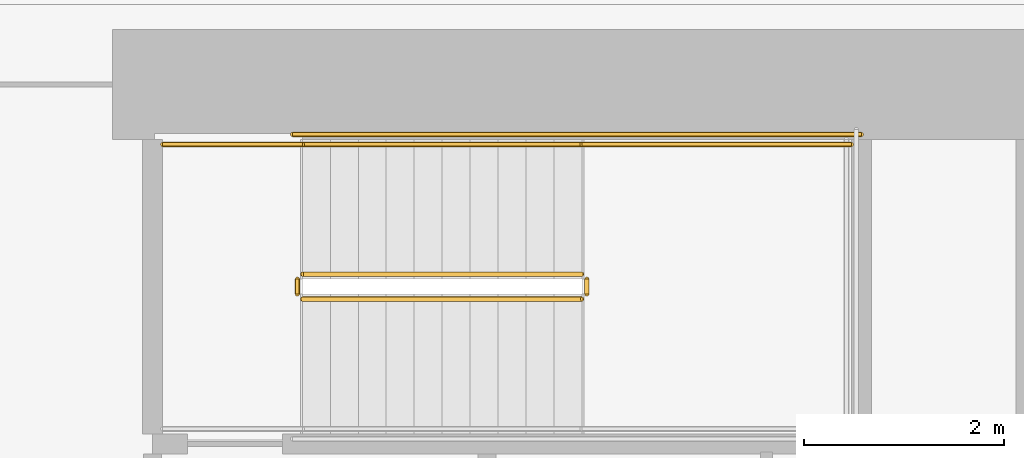
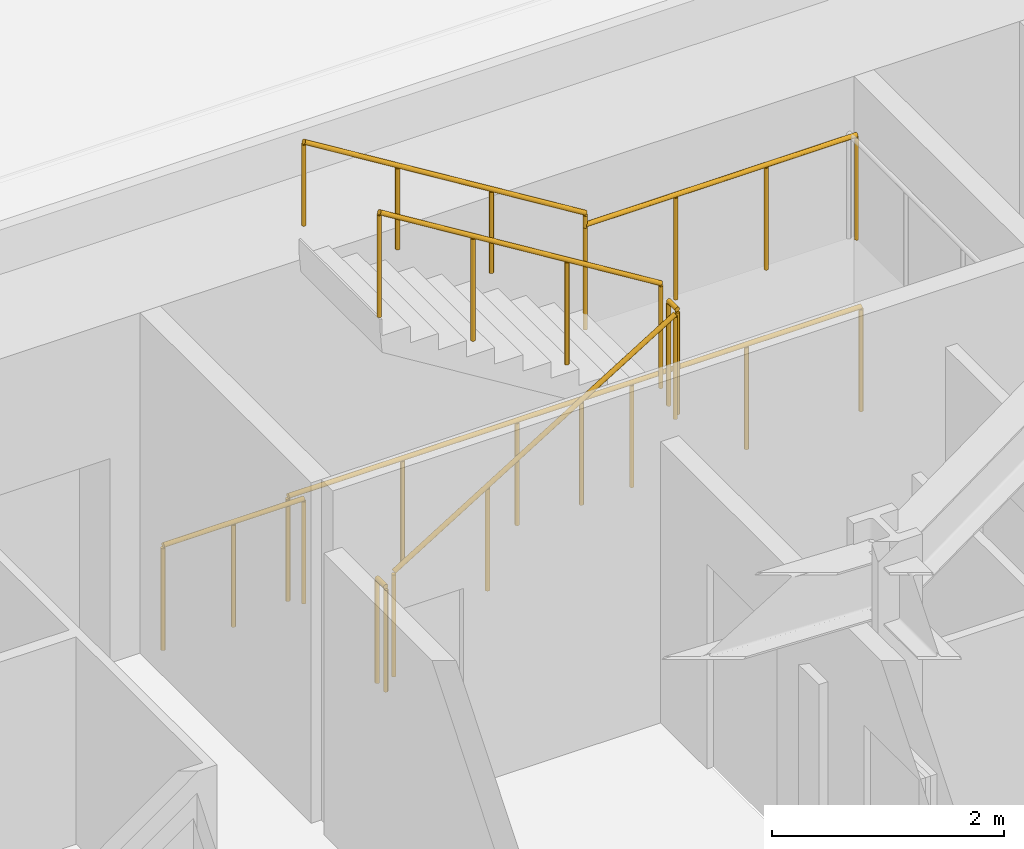
# One storey, part 16 of 18: 8 railings.
"""IFC4 building model written with IfcOpenShell, lengths in metres."""

from ifc_helpers import new_model, si_unit, direction, frame, origin, origin_2d, place, context, subcontext, project, spatial, circle, extrude, material, type_object, element, save


model = new_model("IFC4")

# Units and contexts
model_context = context("Model", 3, precision=1e-05, world=origin(), true_north=direction((0.0, 1.0)))
body_context = subcontext(model_context, "Body", "Model", "MODEL_VIEW")
ifc_project = project(units=[si_unit("LENGTHUNIT", "METRE"), si_unit("AREAUNIT", "SQUARE_METRE"), si_unit("VOLUMEUNIT", "CUBIC_METRE"), si_unit("PLANEANGLEUNIT", "RADIAN"), si_unit("MASSUNIT", "GRAM", prefix="KILO")], contexts=[model_context])

# Site, building, storey
site_placement = place(None, origin())
site = spatial("IfcSite", under=ifc_project, at=site_placement, CompositionType="ELEMENT")
building_placement = place(site_placement, origin())
building = spatial("IfcBuilding", under=site, at=building_placement, Name="Valkerne Bourse Tower", CompositionType="ELEMENT")
storey_placement = place(building_placement, frame((0.0, 0.0, 69.60009765625)))
storey = spatial("IfcBuildingStorey", under=building, at=storey_placement, Name="L17", CompositionType="ELEMENT", Elevation=69.60009765625)

# Railings
ifc_material_1 = material(Name="Galvanised Painted Steel", Category="steel")
railing_type_1 = type_object("IfcRailingType", Name="RLG-ST-GUARD-1120", PredefinedType="GUARDRAIL", material=ifc_material_1)
railing_1_placement = place(storey_placement, frame((48.14990234375, 33.550048828125, 0.172607421875)))
element("IfcRailing", 1, at=railing_1_placement, inside=storey, type_object=railing_type_1, Name="L17 ST-2 stair guard 1", PredefinedType="GUARDRAIL", context=body_context, shape_type="SweptSolid", body=[
    extrude(circle(Radius=0.02392578125, at=origin_2d()), frame((0.0, 0.0, 1.09619140625), z_axis=(0.851089632645, 0.0, 0.525020415988), x_axis=(0.0, 1.0, 0.0)), (0.0, 0.0, 1.0), 3.2900390625),
    extrude(circle(Radius=0.02099609375, at=origin_2d()), origin(), (0.0, 0.0, 1.0), 1.072021484375),
    extrude(circle(Radius=0.02099609375, at=origin_2d()), frame((0.933349609375, 0.0, 0.57568359375)), (0.0, 0.0, 1.0), 1.072021484375),
    extrude(circle(Radius=0.02099609375, at=origin_2d()), frame((1.86669921875, 0.0, 1.151611328125)), (0.0, 0.0, 1.0), 1.072021484375),
    extrude(circle(Radius=0.02099609375, at=origin_2d()), frame((2.800048828125, 0.0, 1.727294921875)), (0.0, 0.0, 1.0), 1.072021484375),
])
railing_2_placement = place(storey_placement, frame((51.0, 33.60009765625, 1.89990234375)))
element("IfcRailing", 2, at=railing_2_placement, inside=storey, type_object=railing_type_1, Name="L17 ST-2 stair guard 2", PredefinedType="GUARDRAIL", context=body_context, shape_type="SweptSolid", body=[
    extrude(circle(Radius=0.02392578125, at=origin_2d()), frame((0.0, 0.0, 1.09619140625), z_axis=(0.0, 1.0, 0.0), x_axis=(-1.0, 0.0, 0.0)), (0.0, 0.0, 1.0), 0.14990234375),
    extrude(circle(Radius=0.02099609375, at=origin_2d()), origin(), (0.0, 0.0, 1.0), 1.072021484375),
    extrude(circle(Radius=0.02099609375, at=origin_2d()), frame((0.0, 0.14990234375, 0.0)), (0.0, 0.0, 1.0), 1.072021484375),
])
railing_3_placement = place(storey_placement, frame((50.949951171875, 35.10009765625, 1.89990234375)))
element("IfcRailing", 3, at=railing_3_placement, inside=storey, type_object=railing_type_1, Name="L17 ST-2 stair guard 4", PredefinedType="GUARDRAIL", context=body_context, shape_type="SweptSolid", body=[
    extrude(circle(Radius=0.02392578125, at=origin_2d()), frame((0.0, 0.0, 1.09619140625), z_axis=(1.0, 0.0, 0.0), x_axis=(0.0, 1.0, 0.0)), (0.0, 0.0, 1.0), 2.699951171875),
    extrude(circle(Radius=0.02099609375, at=origin_2d()), origin(), (0.0, 0.0, 1.0), 1.072021484375),
    extrude(circle(Radius=0.02099609375, at=origin_2d()), frame((0.89990234375, 0.0, 0.0)), (0.0, 0.0, 1.0), 1.072021484375),
    extrude(circle(Radius=0.02099609375, at=origin_2d()), frame((1.800048828125, 0.0, 0.0)), (0.0, 0.0, 1.0), 1.072021484375),
    extrude(circle(Radius=0.02099609375, at=origin_2d()), frame((2.699951171875, 0.0, 0.0)), (0.0, 0.0, 1.0), 1.072021484375),
])
railing_4_placement = place(storey_placement, frame((50.949951171875, 33.800048828125, 2.072509765625)))
element("IfcRailing", 4, at=railing_4_placement, inside=storey, type_object=railing_type_1, Name="L17 ST-2 stair guard 6", PredefinedType="GUARDRAIL", context=body_context, shape_type="SweptSolid", body=[
    extrude(circle(Radius=0.02392578125, at=origin_2d()), frame((0.0, 0.0, 1.09619140625), z_axis=(-0.851089632645, 0.0, 0.525020415988), x_axis=(0.0, -1.0, 0.0)), (0.0, 0.0, 1.0), 3.2900390625),
    extrude(circle(Radius=0.02099609375, at=origin_2d()), origin(), (0.0, 0.0, 1.0), 1.072021484375),
    extrude(circle(Radius=0.02099609375, at=origin_2d()), frame((-0.933349609375, 0.0, 0.57568359375)), (0.0, 0.0, 1.0), 1.072021484375),
    extrude(circle(Radius=0.02099609375, at=origin_2d()), frame((-1.86669921875, 0.0, 1.151611328125)), (0.0, 0.0, 1.0), 1.072021484375),
    extrude(circle(Radius=0.02099609375, at=origin_2d()), frame((-2.800048828125, 0.0, 1.727294921875)), (0.0, 0.0, 1.0), 1.072021484375),
])
railing_5_placement = place(storey_placement, frame((48.10009765625, 33.60009765625, 0.0)))
element("IfcRailing", 5, at=railing_5_placement, inside=storey, type_object=railing_type_1, Name="L17 ST-2 stair guard 7", PredefinedType="GUARDRAIL", context=body_context, shape_type="SweptSolid", body=[
    extrude(circle(Radius=0.02392578125, at=origin_2d()), frame((0.0, 0.0, 1.09619140625), z_axis=(0.0, 1.0, 0.0), x_axis=(-1.0, 0.0, 0.0)), (0.0, 0.0, 1.0), 0.14990234375),
    extrude(circle(Radius=0.02099609375, at=origin_2d()), origin(), (0.0, 0.0, 1.0), 1.072021484375),
    extrude(circle(Radius=0.02099609375, at=origin_2d()), frame((0.0, 0.14990234375, 0.0)), (0.0, 0.0, 1.0), 1.072021484375),
])
railing_6_placement = place(storey_placement, frame((46.75, 35.10009765625, 0.0)))
element("IfcRailing", 6, at=railing_6_placement, inside=storey, type_object=railing_type_1, Name="L17 ST-2 stair guard 9", PredefinedType="GUARDRAIL", context=body_context, shape_type="SweptSolid", body=[
    extrude(circle(Radius=0.02392578125, at=origin_2d()), frame((0.0, 0.0, 1.09619140625), z_axis=(1.0, 0.0, 0.0), x_axis=(0.0, 1.0, 0.0)), (0.0, 0.0, 1.0), 1.39990234375),
    extrude(circle(Radius=0.02099609375, at=origin_2d()), origin(), (0.0, 0.0, 1.0), 1.072021484375),
    extrude(circle(Radius=0.02099609375, at=origin_2d()), frame((0.699951171875, 0.0, 0.0)), (0.0, 0.0, 1.0), 1.072021484375),
    extrude(circle(Radius=0.02099609375, at=origin_2d()), frame((1.39990234375, 0.0, 0.0)), (0.0, 0.0, 1.0), 1.072021484375),
])
railing_7_placement = place(storey_placement, frame((48.050048828125, 35.199951171875, 0.0)))
element("IfcRailing", 7, at=railing_7_placement, inside=storey, type_object=railing_type_1, Name="L17 ST-2 stair guard 11", PredefinedType="GUARDRAIL", context=body_context, shape_type="SweptSolid", body=[
    extrude(circle(Radius=0.02392578125, at=origin_2d()), frame((0.0, 0.0, 1.09619140625), z_axis=(1.0, 0.0, 0.0), x_axis=(0.0, 1.0, 0.0)), (0.0, 0.0, 1.0), 5.699951171875),
    extrude(circle(Radius=0.02099609375, at=origin_2d()), origin(), (0.0, 0.0, 1.0), 1.072021484375),
    extrude(circle(Radius=0.02099609375, at=origin_2d()), frame((1.139892578125, 0.0, 0.0)), (0.0, 0.0, 1.0), 1.072021484375),
    extrude(circle(Radius=0.02099609375, at=origin_2d()), frame((2.280029296875, 0.0, 0.0)), (0.0, 0.0, 1.0), 1.072021484375),
    extrude(circle(Radius=0.02099609375, at=origin_2d()), frame((3.419921875, 0.0, 0.0)), (0.0, 0.0, 1.0), 1.072021484375),
    extrude(circle(Radius=0.02099609375, at=origin_2d()), frame((4.56005859375, 0.0, 0.0)), (0.0, 0.0, 1.0), 1.072021484375),
    extrude(circle(Radius=0.02099609375, at=origin_2d()), frame((5.699951171875, 0.0, 0.0)), (0.0, 0.0, 1.0), 1.072021484375),
])
ifc_material_2 = material(Name="Stainless Steel AISI 316", Category="steel")
railing_type_2 = type_object("IfcRailingType", Name="RLG-ST-HANDRAIL-900", PredefinedType="HANDRAIL", material=ifc_material_2)
railing_8_placement = place(storey_placement, frame((50.949951171875, 35.10009765625, 2.245361328125)))
element("IfcRailing", 8, at=railing_8_placement, inside=storey, type_object=railing_type_2, Name="L17 ST-2 stair handrail 2", PredefinedType="HANDRAIL", context=body_context, shape_type="SweptSolid", body=[
    extrude(circle(Radius=0.02392578125, at=origin_2d()), frame((0.0, 0.0, 0.8759765625), z_axis=(-0.851089632645, 0.0, 0.525020415988), x_axis=(0.0, -1.0, 0.0)), (0.0, 0.0, 1.0), 3.2900390625),
    extrude(circle(Radius=0.02099609375, at=origin_2d()), origin(), (0.0, 0.0, 1.0), 0.851806640625),
    extrude(circle(Radius=0.02099609375, at=origin_2d()), frame((-0.933349609375, 0.0, 0.57568359375)), (0.0, 0.0, 1.0), 0.851806640625),
    extrude(circle(Radius=0.02099609375, at=origin_2d()), frame((-1.86669921875, 0.0, 1.151611328125)), (0.0, 0.0, 1.0), 0.851806640625),
    extrude(circle(Radius=0.02099609375, at=origin_2d()), frame((-2.800048828125, 0.0, 1.727294921875)), (0.0, 0.0, 1.0), 0.851806640625),
])

save(model, "model.ifc")
